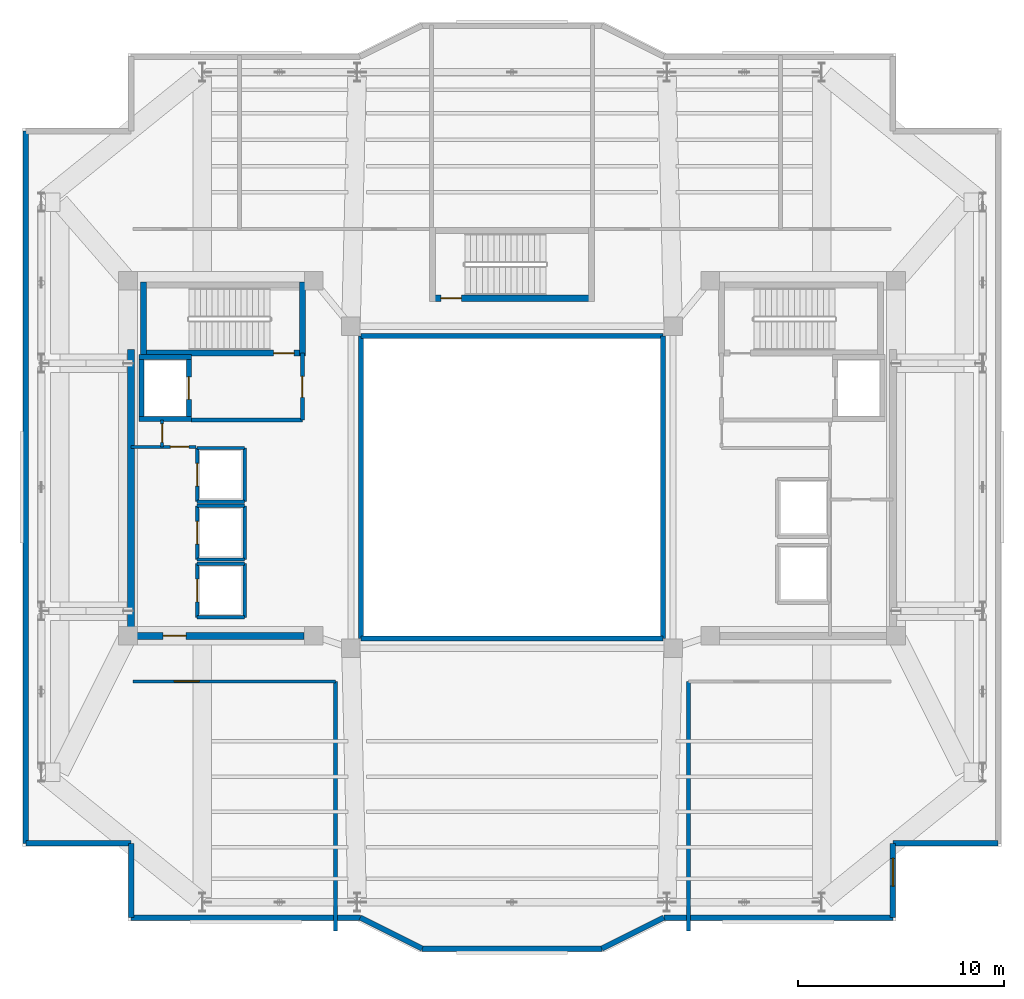
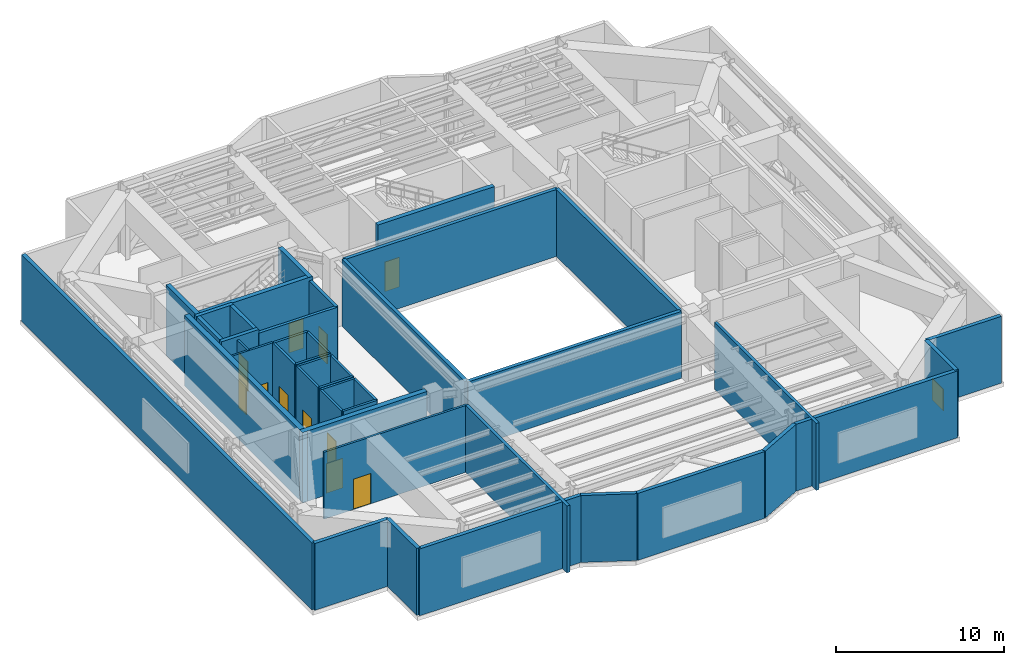
# One storey, part 8 of 13: 43 walls, 11 doors, 1 window, 12 openings.
"""IFC4 building model written with IfcOpenShell, lengths in metres."""

from ifc_helpers import new_model, si_unit, direction, frame, frame_2d, origin, place, context, subcontext, project, spatial, rectangle, extrude, material, layer, layer_set, type_object, element, fill, save


model = new_model("IFC4")

# Units and contexts
model_context = context("Model", 3, precision=1e-05, world=origin(), true_north=direction((0.0, 1.0)))
body_context = subcontext(model_context, "Body", "Model", "MODEL_VIEW")
ifc_project = project(units=[si_unit("LENGTHUNIT", "METRE"), si_unit("AREAUNIT", "SQUARE_METRE"), si_unit("VOLUMEUNIT", "CUBIC_METRE"), si_unit("PLANEANGLEUNIT", "RADIAN"), si_unit("MASSUNIT", "GRAM", prefix="KILO")], contexts=[model_context])

# Site, building, storey
site_placement = place(None, origin())
site = spatial("IfcSite", under=ifc_project, at=site_placement, CompositionType="ELEMENT")
building_placement = place(site_placement, origin())
building = spatial("IfcBuilding", under=site, at=building_placement, Name="Tarnavaz Court Tower", CompositionType="ELEMENT")
storey_placement = place(building_placement, frame((0.0, 0.0, 236.39990234375)))
storey = spatial("IfcBuildingStorey", under=building, at=storey_placement, Name="L64", CompositionType="ELEMENT", Elevation=236.39990234375)

# Wall
ifc_material_1 = material(Name="Concrete C50/60", Category="concrete")
ifc_layer_1 = layer(ifc_material_1, 0.25)
ifc_layer_set_1 = layer_set([ifc_layer_1], Name="Concrete C50/60")
wall_type_1 = type_object("IfcWallType", Name="WL-CORE-250-C50", PredefinedType="SHEAR", material=ifc_layer_set_1)
wall_1_placement = place(storey_placement, frame((-17.949951171875, 3.175048828125, 0.0), z_axis=(0.0, 0.0, 1.0), x_axis=(0.0, 1.0, 0.0)))
element("IfcWall", 1, at=wall_1_placement, inside=storey, type_object=wall_type_1, Name="L64 Lift FL-W1 Shaft Wall 017", PredefinedType="SHEAR", context=body_context, shape_type="SweptSolid", body=[
    extrude(rectangle(XDim=3.25, YDim=0.25, at=frame_2d((1.625, 0.0))), origin(), (0.0, 0.0, 1.0), 5.10009765625),
])

# Wall, opening, door
wall_2_placement = place(storey_placement, frame((-15.64990234375, 3.175048828125, 0.0), z_axis=(0.0, 0.0, 1.0), x_axis=(0.0, 1.0, 0.0)))
wall_2 = element("IfcWall", 2, at=wall_2_placement, inside=storey, type_object=wall_type_1, Name="L64 Lift FL-W1 Shaft Wall 018", PredefinedType="SHEAR", context=body_context, shape_type="SweptSolid", body=[
    extrude(rectangle(XDim=3.25, YDim=0.25, at=frame_2d((1.625, 0.0))), origin(), (0.0, 0.0, 1.0), 5.10009765625),
])
opening_1_placement = place(wall_2_placement, frame((1.074951171875, 0.0, 0.0)))
opening_1 = element("IfcOpeningElement", 3, at=opening_1_placement, cuts=wall_2, Name="Opening LD1", PredefinedType="OPENING", context=body_context, shape_type="SweptSolid", body=[
    extrude(rectangle(XDim=1.10009765625, YDim=2.14990234375, at=frame_2d((0.550048828125, 1.074951171875))), frame((0.0, 0.135009765625, 0.0), z_axis=(0.0, -1.0, 0.0), x_axis=(1.0, 0.0, 0.0)), (0.0, 0.0, 1.0), 0.27001953125),
])
ifc_material_2 = material(Name="Stainless Steel", Category="steel")
door_type_1 = type_object("IfcDoorType", Name="DR-LD-1100", OperationType="NOTDEFINED", PredefinedType="DOOR", material=ifc_material_2)
door_1_placement = place(opening_1_placement, origin())
door_1 = element("IfcDoor", 4, at=door_1_placement, inside=storey, type_object=door_type_1, Name="L64 Lift Landing Door LD-FL-W1", OperationType="SLIDING_TO_LEFT", OverallHeight=2.14990234375, OverallWidth=1.10009765625, PredefinedType="DOOR", context=body_context, shape_type="SweptSolid", body=[
    extrude(rectangle(XDim=1.10009765625, YDim=2.14990234375, at=frame_2d((0.550048828125, 1.074951171875))), frame((0.0, 0.02490234375, 0.0), z_axis=(0.0, -1.0, 0.0), x_axis=(1.0, 0.0, 0.0)), (0.0, 0.0, 1.0), 0.050048828125),
])
fill(opening_1, door_1)

# Walls
for number, where, z_axis, x_axis, name in (
    (5, (-18.074951171875, 3.300048828125, 0.0), (0.0, 0.0, 1.0), (1.0, 0.0, 0.0), "L64 Lift FL-W1 Shaft Wall 019"),
    (6, (-18.074951171875, 6.300048828125, 0.0), (0.0, 0.0, 1.0), (1.0, 0.0, 0.0), "L64 Lift FL-W1 Shaft Wall 020"),
):
    element("IfcWall", number, at=place(storey_placement, frame(where, z_axis=z_axis, x_axis=x_axis)), inside=storey, type_object=wall_type_1, Name=name, PredefinedType="SHEAR", context=body_context, shape_type="SweptSolid", body=[
        extrude(rectangle(XDim=2.550048828125, YDim=0.25, at=frame_2d((1.27490234375, 0.0))), origin(), (0.0, 0.0, 1.0), 5.10009765625),
    ])

# Wall, opening, door
ifc_layer_2 = layer(ifc_material_1, 0.300048828125)
ifc_layer_set_2 = layer_set([ifc_layer_2], Name="Concrete C50/60")
wall_type_2 = type_object("IfcWallType", Name="WL-CORE-300-C50", PredefinedType="SHEAR", material=ifc_layer_set_2)
wall_3_placement = place(storey_placement, frame((-18.0, 6.5, 0.0), z_axis=(0.0, 0.0, 1.0), x_axis=(1.0, 0.0, 0.0)))
wall_3 = element("IfcWall", 7, at=wall_3_placement, inside=storey, type_object=wall_type_2, Name="L64 West Stair Core Wall 002", PredefinedType="SHEAR", context=body_context, shape_type="SweptSolid", body=[
    extrude(rectangle(XDim=8.0, YDim=0.300048828125, at=frame_2d((4.0, 0.0))), origin(), (0.0, 0.0, 1.0), 5.10009765625),
])
opening_2_placement = place(wall_3_placement, frame((6.449951171875, 0.0, 0.0)))
opening_2 = element("IfcOpeningElement", 8, at=opening_2_placement, cuts=wall_3, Name="Opening D01", PredefinedType="OPENING", context=body_context, shape_type="SweptSolid", body=[
    extrude(rectangle(XDim=1.0, YDim=2.14990234375, at=frame_2d((0.5, 1.074951171875))), frame((0.0, 0.159912109375, 0.0), z_axis=(0.0, -1.0, 0.0), x_axis=(1.0, 0.0, 0.0)), (0.0, 0.0, 1.0), 0.320068359375),
])
ifc_material_3 = material(Name="Fire-Rated Hardwood Timber Core", Category="wood")
door_type_2 = type_object("IfcDoorType", Name="DR-FD90-1000", OperationType="NOTDEFINED", PredefinedType="DOOR", material=ifc_material_3)
door_2_placement = place(opening_2_placement, origin())
door_2 = element("IfcDoor", 9, at=door_2_placement, inside=storey, type_object=door_type_2, Name="L64 Stair ST-W1 Exit Door", OperationType="SINGLE_SWING_LEFT", OverallHeight=2.14990234375, OverallWidth=1.0, PredefinedType="DOOR", context=body_context, shape_type="SweptSolid", body=[
    extrude(rectangle(XDim=1.0, YDim=2.14990234375, at=frame_2d((0.5, 1.074951171875))), frame((0.0, 0.02490234375, 0.0), z_axis=(0.0, -1.0, 0.0), x_axis=(1.0, 0.0, 0.0)), (0.0, 0.0, 1.0), 0.050048828125),
])
fill(opening_2, door_2)

# Walls
for number, where, z_axis, x_axis, name in (
    (10, (-17.85009765625, 6.35009765625, 0.0), (0.0, 0.0, 1.0), (0.0, 1.0, 0.0), "L64 West Stair Core Wall 003"),
    (11, (-10.14990234375, 6.35009765625, 0.0), (0.0, 0.0, 1.0), (0.0, 1.0, 0.0), "L64 West Stair Core Wall 004"),
):
    element("IfcWall", number, at=place(storey_placement, frame(where, z_axis=z_axis, x_axis=x_axis)), inside=storey, type_object=wall_type_2, Name=name, PredefinedType="SHEAR", context=body_context, shape_type="SweptSolid", body=[
        extrude(rectangle(XDim=3.58984375, YDim=0.300048828125, at=frame_2d((1.794921875, 0.0))), origin(), (0.0, 0.0, 1.0), 5.10009765625),
    ])

# Wall, opening, door
wall_4_placement = place(storey_placement, frame((-4.0, 9.14990234375, 0.0), z_axis=(0.0, 0.0, 1.0), x_axis=(1.0, 0.0, 0.0)))
wall_4 = element("IfcWall", 12, at=wall_4_placement, inside=storey, type_object=wall_type_2, Name="L64 North Stair Core Wall 010", PredefinedType="SHEAR", context=body_context, shape_type="SweptSolid", body=[
    extrude(rectangle(XDim=8.0, YDim=0.300048828125, at=frame_2d((4.0, 0.0))), origin(), (0.0, 0.0, 1.0), 5.10009765625),
])
opening_3_placement = place(wall_4_placement, frame((0.550048828125, 0.0, 0.0)))
opening_3 = element("IfcOpeningElement", 13, at=opening_3_placement, cuts=wall_4, Name="Opening D01", PredefinedType="OPENING", context=body_context, shape_type="SweptSolid", body=[
    extrude(rectangle(XDim=1.0, YDim=2.14990234375, at=frame_2d((0.5, 1.074951171875))), frame((0.0, 0.159912109375, 0.0), z_axis=(0.0, -1.0, 0.0), x_axis=(1.0, 0.0, 0.0)), (0.0, 0.0, 1.0), 0.320068359375),
])
door_3_placement = place(opening_3_placement, origin())
door_3 = element("IfcDoor", 14, at=door_3_placement, inside=storey, type_object=door_type_2, Name="L64 Stair ST-N1 Exit Door", OperationType="SINGLE_SWING_LEFT", OverallHeight=2.14990234375, OverallWidth=1.0, PredefinedType="DOOR", context=body_context, shape_type="SweptSolid", body=[
    extrude(rectangle(XDim=1.0, YDim=2.14990234375, at=frame_2d((0.5, 1.074951171875))), frame((0.0, 0.02490234375, 0.0), z_axis=(0.0, -1.0, 0.0), x_axis=(1.0, 0.0, 0.0)), (0.0, 0.0, 1.0), 0.050048828125),
])
fill(opening_3, door_3)

# Wall
ifc_layer_3 = layer(ifc_material_1, 0.35009765625)
ifc_layer_set_3 = layer_set([ifc_layer_3], Name="Concrete C50/60")
wall_type_3 = type_object("IfcWallType", Name="WL-CORE-350-C50", PredefinedType="SHEAR", material=ifc_layer_set_3)
wall_5_placement = place(storey_placement, frame((-18.449951171875, -7.375, 0.0), z_axis=(0.0, 0.0, 1.0), x_axis=(0.0, 1.0, 0.0)))
element("IfcWall", 15, at=wall_5_placement, inside=storey, type_object=wall_type_3, Name="L64 West Core Shear Wall 045", PredefinedType="SHEAR", context=body_context, shape_type="SweptSolid", body=[
    extrude(rectangle(XDim=14.050048828125, YDim=0.35009765625, at=frame_2d((7.02490234375, 0.0))), origin(), (0.0, 0.0, 1.0), 5.10009765625),
])

# Wall, opening, door
wall_6_placement = place(storey_placement, frame((-18.625, -7.199951171875, 0.0), z_axis=(0.0, 0.0, 1.0), x_axis=(1.0, 0.0, 0.0)))
wall_6 = element("IfcWall", 16, at=wall_6_placement, inside=storey, type_object=wall_type_3, Name="L64 West Core South Shear Wall 046", PredefinedType="SHEAR", context=body_context, shape_type="SweptSolid", body=[
    extrude(rectangle(XDim=8.550048828125, YDim=0.35009765625, at=frame_2d((4.27490234375, 0.0))), origin(), (0.0, 0.0, 1.0), 5.10009765625),
])
opening_4_placement = place(wall_6_placement, frame((1.72509765625, 0.0, 0.0)))
opening_4 = element("IfcOpeningElement", 17, at=opening_4_placement, cuts=wall_6, Name="Opening D04", PredefinedType="OPENING", context=body_context, shape_type="SweptSolid", body=[
    extrude(rectangle(XDim=1.1201171875, YDim=2.14990234375, at=frame_2d((0.56005859375, 1.074951171875))), frame((0.0, 0.18505859375, 0.0), z_axis=(0.0, -1.0, 0.0), x_axis=(1.0, 0.0, 0.0)), (0.0, 0.0, 1.0), 0.3701171875),
])
door_type_3 = type_object("IfcDoorType", Name="DR-FD60-1100", OperationType="NOTDEFINED", PredefinedType="DOOR", material=ifc_material_3)
door_4_placement = place(opening_4_placement, origin())
door_4 = element("IfcDoor", 18, at=door_4_placement, inside=storey, type_object=door_type_3, Name="L64 West High-Rise Lift Lobby Door", OperationType="SINGLE_SWING_LEFT", OverallHeight=2.14990234375, OverallWidth=1.1201171875, PredefinedType="DOOR", context=body_context, shape_type="SweptSolid", body=[
    extrude(rectangle(XDim=1.1201171875, YDim=2.14990234375, at=frame_2d((0.56005859375, 1.074951171875))), frame((0.0, 0.02490234375, 0.0), z_axis=(0.0, -1.0, 0.0), x_axis=(1.0, 0.0, 0.0)), (0.0, 0.0, 1.0), 0.050048828125),
])
fill(opening_4, door_4)

# Walls
ifc_material_4 = material(Name="Precast Concrete C40/50", Category="concrete")
ifc_layer_4 = layer(ifc_material_4, 0.260009765625)
ifc_layer_set_4 = layer_set([ifc_layer_4], Name="Precast Concrete C40/50")
wall_type_4 = type_object("IfcWallType", Name="WL-EXT-260", PredefinedType="SOLIDWALL", material=ifc_layer_set_4)
wall_7_placement = place(storey_placement, frame((-18.449951171875, -17.25, 0.0), z_axis=(0.0, 0.0, 1.0), x_axis=(-1.0, 0.0, 0.0)))
element("IfcWall", 19, at=wall_7_placement, inside=storey, type_object=wall_type_4, Name="L64 Exterior Terracotta Facade Wall 01", PredefinedType="SOLIDWALL", context=body_context, shape_type="SweptSolid", body=[
    extrude(rectangle(XDim=5.10009765625, YDim=0.260009765625, at=frame_2d((2.550048828125, 0.0))), origin(), (0.0, 0.0, 1.0), 4.85009765625),
])
wall_8_placement = place(storey_placement, frame((-23.550048828125, -17.25, 0.0), z_axis=(0.0, 0.0, 1.0), x_axis=(0.0, 1.0, 0.0)))
element("IfcWall", 20, at=wall_8_placement, inside=storey, type_object=wall_type_4, Name="L64 Exterior Terracotta Facade Wall 02", PredefinedType="SOLIDWALL", context=body_context, shape_type="SweptSolid", body=[
    extrude(rectangle(XDim=34.5, YDim=0.260009765625, at=frame_2d((17.25, 0.0))), origin(), (0.0, 0.0, 1.0), 4.85009765625),
])
wall_9_placement = place(storey_placement, frame((23.550048828125, -17.25, 0.0), z_axis=(0.0, 0.0, 1.0), x_axis=(-1.0, 0.0, 0.0)))
element("IfcWall", 21, at=wall_9_placement, inside=storey, type_object=wall_type_4, Name="L64 Exterior Terracotta Facade Wall 13", PredefinedType="SOLIDWALL", context=body_context, shape_type="SweptSolid", body=[
    extrude(rectangle(XDim=5.10009765625, YDim=0.260009765625, at=frame_2d((2.550048828125, 0.0))), origin(), (0.0, 0.0, 1.0), 4.85009765625),
])

# Wall, opening, window
wall_10_placement = place(storey_placement, frame((18.449951171875, -17.25, 0.0), z_axis=(0.0, 0.0, 1.0), x_axis=(0.0, -1.0, 0.0)))
wall_10 = element("IfcWall", 22, at=wall_10_placement, inside=storey, type_object=wall_type_4, Name="L64 Exterior Terracotta Facade Wall 14", PredefinedType="SOLIDWALL", context=body_context, shape_type="SweptSolid", body=[
    extrude(rectangle(XDim=3.60009765625, YDim=0.260009765625, at=frame_2d((1.800048828125, 0.0))), origin(), (0.0, 0.0, 1.0), 4.85009765625),
])
opening_5_placement = place(wall_10_placement, frame((0.72509765625, 0.0, 0.949951171875)))
opening_5 = element("IfcOpeningElement", 23, at=opening_5_placement, cuts=wall_10, Name="Opening W04", PredefinedType="OPENING", context=body_context, shape_type="SweptSolid", body=[
    extrude(rectangle(XDim=1.35009765625, YDim=1.550048828125, at=frame_2d((0.675048828125, 0.77490234375))), frame((0.0, 0.139892578125, 0.0), z_axis=(0.0, -1.0, 0.0), x_axis=(1.0, 0.0, 0.0)), (0.0, 0.0, 1.0), 0.280029296875),
])
ifc_material_5 = material(Name="Double-Glazed Solar Low-E Glass", Category="glass")
window_type = type_object("IfcWindowType", Name="WN-APT-1350", PartitioningType="SINGLE_PANEL", PredefinedType="WINDOW", material=ifc_material_5)
window_placement = place(opening_5_placement, origin())
window = element("IfcWindow", 24, at=window_placement, inside=storey, type_object=window_type, Name="L64 South Protected Refuge Holding Area Window", OverallHeight=1.550048828125, OverallWidth=1.35009765625, PartitioningType="SINGLE_PANEL", PredefinedType="WINDOW", context=body_context, shape_type="SweptSolid", body=[
    extrude(rectangle(XDim=1.35009765625, YDim=1.550048828125, at=frame_2d((0.675048828125, 0.77490234375))), frame((0.0, 0.030029296875, 0.0), z_axis=(0.0, -1.0, 0.0), x_axis=(1.0, 0.0, 0.0)), (0.0, 0.0, 1.0), 0.06005859375),
])
fill(opening_5, window)

# Walls
wall_11_placement = place(storey_placement, frame((18.449951171875, -20.85009765625, 0.0), z_axis=(0.0, 0.0, 1.0), x_axis=(-1.0, 0.0, 0.0)))
element("IfcWall", 25, at=wall_11_placement, inside=storey, type_object=wall_type_4, Name="L64 Exterior Terracotta Facade Wall 15", PredefinedType="SOLIDWALL", context=body_context, shape_type="SweptSolid", body=[
    extrude(rectangle(XDim=11.099853515625, YDim=0.260009765625, at=frame_2d((5.5498046875, 0.0))), origin(), (0.0, 0.0, 1.0), 4.85009765625),
])
wall_12_placement = place(storey_placement, frame((7.35009765625, -20.85009765625, 0.0), z_axis=(0.0, 0.0, 1.0), x_axis=(-0.894427191, -0.4472135955, 0.0)))
element("IfcWall", 26, at=wall_12_placement, inside=storey, type_object=wall_type_4, Name="L64 Exterior Terracotta Facade Wall 16", PredefinedType="SOLIDWALL", context=body_context, shape_type="SweptSolid", body=[
    extrude(rectangle(XDim=3.35400390625, YDim=0.260009765625, at=frame_2d((1.677001953125, 0.0))), origin(), (0.0, 0.0, 1.0), 4.85009765625),
])
wall_13_placement = place(storey_placement, frame((4.35009765625, -22.35009765625, 0.0), z_axis=(0.0, 0.0, 1.0), x_axis=(-1.0, 0.0, 0.0)))
element("IfcWall", 27, at=wall_13_placement, inside=storey, type_object=wall_type_4, Name="L64 Exterior Terracotta Facade Wall 17", PredefinedType="SOLIDWALL", context=body_context, shape_type="SweptSolid", body=[
    extrude(rectangle(XDim=8.7001953125, YDim=0.260009765625, at=frame_2d((4.35009765625, 0.0))), origin(), (0.0, 0.0, 1.0), 4.85009765625),
])
wall_14_placement = place(storey_placement, frame((-4.35009765625, -22.35009765625, 0.0), z_axis=(0.0, 0.0, 1.0), x_axis=(-0.894427191, 0.4472135955, 0.0)))
element("IfcWall", 28, at=wall_14_placement, inside=storey, type_object=wall_type_4, Name="L64 Exterior Terracotta Facade Wall 18", PredefinedType="SOLIDWALL", context=body_context, shape_type="SweptSolid", body=[
    extrude(rectangle(XDim=3.35400390625, YDim=0.260009765625, at=frame_2d((1.677001953125, 0.0))), origin(), (0.0, 0.0, 1.0), 4.85009765625),
])
wall_15_placement = place(storey_placement, frame((-7.35009765625, -20.85009765625, 0.0), z_axis=(0.0, 0.0, 1.0), x_axis=(-1.0, 0.0, 0.0)))
element("IfcWall", 29, at=wall_15_placement, inside=storey, type_object=wall_type_4, Name="L64 Exterior Terracotta Facade Wall 19", PredefinedType="SOLIDWALL", context=body_context, shape_type="SweptSolid", body=[
    extrude(rectangle(XDim=11.099853515625, YDim=0.260009765625, at=frame_2d((5.5498046875, 0.0))), origin(), (0.0, 0.0, 1.0), 4.85009765625),
])
wall_16_placement = place(storey_placement, frame((-18.449951171875, -20.85009765625, 0.0), z_axis=(0.0, 0.0, 1.0), x_axis=(0.0, 1.0, 0.0)))
element("IfcWall", 30, at=wall_16_placement, inside=storey, type_object=wall_type_4, Name="L64 Exterior Terracotta Facade Wall 20", PredefinedType="SOLIDWALL", context=body_context, shape_type="SweptSolid", body=[
    extrude(rectangle(XDim=3.60009765625, YDim=0.260009765625, at=frame_2d((1.800048828125, 0.0))), origin(), (0.0, 0.0, 1.0), 4.85009765625),
])

# Wall, opening, door
ifc_material_6 = material(Name="Gypsum Fire-Board on Acoustic Metal Stud", Category="masonry")
ifc_layer_5 = layer(ifc_material_6, 0.14990234375)
ifc_layer_set_5 = layer_set([ifc_layer_5], Name="Gypsum Fire-Board on Acoustic Metal Stud")
wall_type_5 = type_object("IfcWallType", Name="WL-FIRE-150", PredefinedType="PARTITIONING", material=ifc_layer_set_5)
wall_17_placement = place(storey_placement, frame((-18.35009765625, -9.39990234375, 0.0), z_axis=(0.0, 0.0, 1.0), x_axis=(1.0, 0.0, 0.0)))
wall_17 = element("IfcWall", 31, at=wall_17_placement, inside=storey, type_object=wall_type_5, Name="L64 SW Lobby Wall 057", PredefinedType="PARTITIONING", context=body_context, shape_type="SweptSolid", body=[
    extrude(rectangle(XDim=9.800048828125, YDim=0.14990234375, at=frame_2d((4.89990234375, 0.0))), origin(), (0.0, 0.0, 1.0), 4.85009765625),
])
opening_6_placement = place(wall_17_placement, frame((2.0, 0.0, 0.0)))
opening_6 = element("IfcOpeningElement", 32, at=opening_6_placement, cuts=wall_17, Name="Opening D03", PredefinedType="OPENING", context=body_context, shape_type="SweptSolid", body=[
    extrude(rectangle(XDim=1.199951171875, YDim=2.199951171875, at=frame_2d((0.60009765625, 1.10009765625))), frame((0.0, 0.0849609375, 0.0), z_axis=(0.0, -1.0, 0.0), x_axis=(1.0, 0.0, 0.0)), (0.0, 0.0, 1.0), 0.169921875),
])
door_type_4 = type_object("IfcDoorType", Name="DR-FD90-1200", OperationType="NOTDEFINED", PredefinedType="DOOR", material=ifc_material_3)
door_5_placement = place(opening_6_placement, origin())
door_5 = element("IfcDoor", 33, at=door_5_placement, inside=storey, type_object=door_type_4, Name="L64 Electrical Switchgear Plant Door", OperationType="SINGLE_SWING_LEFT", OverallHeight=2.199951171875, OverallWidth=1.199951171875, PredefinedType="DOOR", context=body_context, shape_type="SweptSolid", body=[
    extrude(rectangle(XDim=1.199951171875, YDim=2.199951171875, at=frame_2d((0.60009765625, 1.10009765625))), frame((0.0, 0.02490234375, 0.0), z_axis=(0.0, -1.0, 0.0), x_axis=(1.0, 0.0, 0.0)), (0.0, 0.0, 1.0), 0.050048828125),
])
fill(opening_6, door_5)

# Wall
ifc_material_7 = material(Name="Autoclaved Aerated Concrete Blockwork", Category="masonry")
ifc_layer_6 = layer(ifc_material_7, 0.199951171875)
ifc_layer_set_6 = layer_set([ifc_layer_6], Name="Autoclaved Aerated Concrete Blockwork")
wall_type_6 = type_object("IfcWallType", Name="WL-FIRE-200", PredefinedType="SOLIDWALL", material=ifc_layer_set_6)
wall_18_placement = place(storey_placement, frame((-15.550048828125, 3.25, 0.0), z_axis=(0.0, 0.0, 1.0), x_axis=(1.0, 0.0, 0.0)))
element("IfcWall", 34, at=wall_18_placement, inside=storey, type_object=wall_type_6, Name="L64 West Firefighting Lobby Wall 013", PredefinedType="SOLIDWALL", context=body_context, shape_type="SweptSolid", body=[
    extrude(rectangle(XDim=5.400146484375, YDim=0.199951171875, at=frame_2d((2.7001953125, 0.0))), origin(), (0.0, 0.0, 1.0), 4.85009765625),
])

# Wall, opening, door
wall_19_placement = place(storey_placement, frame((-10.14990234375, 3.25, 0.0), z_axis=(0.0, 0.0, 1.0), x_axis=(0.0, 1.0, 0.0)))
wall_19 = element("IfcWall", 35, at=wall_19_placement, inside=storey, type_object=wall_type_6, Name="L64 West Firefighting Lobby Wall 014", PredefinedType="SOLIDWALL", context=body_context, shape_type="SweptSolid", body=[
    extrude(rectangle(XDim=3.25, YDim=0.199951171875, at=frame_2d((1.625, 0.0))), origin(), (0.0, 0.0, 1.0), 4.85009765625),
])
opening_7_placement = place(wall_19_placement, frame((1.10009765625, 0.0, 0.0)))
opening_7 = element("IfcOpeningElement", 36, at=opening_7_placement, cuts=wall_19, Name="Opening D05", PredefinedType="OPENING", context=body_context, shape_type="SweptSolid", body=[
    extrude(rectangle(XDim=1.02001953125, YDim=2.14990234375, at=frame_2d((0.510009765625, 1.074951171875))), frame((0.0, 0.10986328125, 0.0), z_axis=(0.0, -1.0, 0.0), x_axis=(1.0, 0.0, 0.0)), (0.0, 0.0, 1.0), 0.219970703125),
])
door_type_5 = type_object("IfcDoorType", Name="DR-FD60-1000", OperationType="NOTDEFINED", PredefinedType="DOOR", material=ifc_material_3)
door_6_placement = place(opening_7_placement, origin())
door_6 = element("IfcDoor", 37, at=door_6_placement, inside=storey, type_object=door_type_5, Name="L64 West Firefighting Lobby Door", OperationType="SINGLE_SWING_RIGHT", OverallHeight=2.14990234375, OverallWidth=1.02001953125, PredefinedType="DOOR", context=body_context, shape_type="SweptSolid", body=[
    extrude(rectangle(XDim=1.02001953125, YDim=2.14990234375, at=frame_2d((0.510009765625, 1.074951171875))), frame((0.0, 0.02490234375, 0.0), z_axis=(0.0, -1.0, 0.0), x_axis=(1.0, 0.0, 0.0)), (0.0, 0.0, 1.0), 0.050048828125),
])
fill(opening_7, door_6)

# Walls
for number, where, z_axis, x_axis, name in (
    (38, (-8.550048828125, -21.50390625, 0.0), (0.0, 0.0, 1.0), (0.0, 1.0, 0.0), "L64 Interior Partition 063"),
    (39, (8.550048828125, -21.50390625, 0.0), (0.0, 0.0, 1.0), (0.0, 1.0, 0.0), "L64 Interior Partition 064"),
):
    element("IfcWall", number, at=place(storey_placement, frame(where, z_axis=z_axis, x_axis=x_axis)), inside=storey, type_object=wall_type_6, Name=name, PredefinedType="SOLIDWALL", context=body_context, shape_type="SweptSolid", body=[
        extrude(rectangle(XDim=12.10400390625, YDim=0.199951171875, at=frame_2d((6.052001953125, 0.0))), origin(), (0.0, 0.0, 1.0), 4.85009765625),
    ])

# Wall, opening, door
ifc_material_8 = material(Name="Gypsum Plasterboard Acoustic Partition", Category="masonry")
ifc_layer_7 = layer(ifc_material_8, 0.139892578125)
ifc_layer_set_7 = layer_set([ifc_layer_7], Name="Gypsum Plasterboard Acoustic Partition")
wall_type_7 = type_object("IfcWallType", Name="WL-PART-150", PredefinedType="PARTITIONING", material=ifc_layer_set_7)
wall_20_placement = place(storey_placement, frame((-18.449951171875, 1.949951171875, 0.0), z_axis=(0.0, 0.0, 1.0), x_axis=(1.0, 0.0, 0.0)))
wall_20 = element("IfcWall", 40, at=wall_20_placement, inside=storey, type_object=wall_type_7, Name="L64 Interior Partition 049", PredefinedType="PARTITIONING", context=body_context, shape_type="SweptSolid", body=[
    extrude(rectangle(XDim=3.14990234375, YDim=0.139892578125, at=frame_2d((1.574951171875, 0.0))), origin(), (0.0, 0.0, 1.0), 4.85009765625),
])
opening_8_placement = place(wall_20_placement, frame((1.89990234375, 0.0, 0.0)))
opening_8 = element("IfcOpeningElement", 41, at=opening_8_placement, cuts=wall_20, Name="Opening D09", PredefinedType="OPENING", context=body_context, shape_type="SweptSolid", body=[
    extrude(rectangle(XDim=0.89990234375, YDim=2.080078125, at=frame_2d((0.449951171875, 1.0400390625))), frame((0.0, 0.079833984375, 0.0), z_axis=(0.0, -1.0, 0.0), x_axis=(1.0, 0.0, 0.0)), (0.0, 0.0, 1.0), 0.159912109375),
])
door_type_6 = type_object("IfcDoorType", Name="DR-FD30-900", OperationType="NOTDEFINED", PredefinedType="DOOR", material=ifc_material_3)
door_7_placement = place(opening_8_placement, origin())
door_7 = element("IfcDoor", 42, at=door_7_placement, inside=storey, type_object=door_type_6, Name="L64 West Sky Store Door", OperationType="SINGLE_SWING_RIGHT", OverallHeight=2.080078125, OverallWidth=0.89990234375, PredefinedType="DOOR", context=body_context, shape_type="SweptSolid", body=[
    extrude(rectangle(XDim=0.89990234375, YDim=2.080078125, at=frame_2d((0.449951171875, 1.0400390625))), frame((0.0, 0.02490234375, 0.0), z_axis=(0.0, -1.0, 0.0), x_axis=(1.0, 0.0, 0.0)), (0.0, 0.0, 1.0), 0.050048828125),
])
fill(opening_8, door_7)

wall_21_placement = place(storey_placement, frame((-16.949951171875, 1.949951171875, 0.0), z_axis=(0.0, 0.0, 1.0), x_axis=(0.0, 1.0, 0.0)))
wall_21 = element("IfcWall", 43, at=wall_21_placement, inside=storey, type_object=wall_type_7, Name="L64 Interior Partition 050", PredefinedType="PARTITIONING", context=body_context, shape_type="SweptSolid", body=[
    extrude(rectangle(XDim=1.300048828125, YDim=0.139892578125, at=frame_2d((0.64990234375, 0.0))), origin(), (0.0, 0.0, 1.0), 4.85009765625),
])
opening_9_placement = place(wall_21_placement, frame((0.219970703125, 0.0, 0.0)))
opening_9 = element("IfcOpeningElement", 44, at=opening_9_placement, cuts=wall_21, Name="Opening D09", PredefinedType="OPENING", context=body_context, shape_type="SweptSolid", body=[
    extrude(rectangle(XDim=0.89990234375, YDim=2.080078125, at=frame_2d((0.449951171875, 1.0400390625))), frame((0.0, 0.079833984375, 0.0), z_axis=(0.0, -1.0, 0.0), x_axis=(1.0, 0.0, 0.0)), (0.0, 0.0, 1.0), 0.159912109375),
])
door_8_placement = place(opening_9_placement, origin())
door_8 = element("IfcDoor", 45, at=door_8_placement, inside=storey, type_object=door_type_6, Name="L64 West Sky BMS Room Door", OperationType="SINGLE_SWING_LEFT", OverallHeight=2.080078125, OverallWidth=0.89990234375, PredefinedType="DOOR", context=body_context, shape_type="SweptSolid", body=[
    extrude(rectangle(XDim=0.89990234375, YDim=2.080078125, at=frame_2d((0.449951171875, 1.0400390625))), frame((0.0, 0.02490234375, 0.0), z_axis=(0.0, -1.0, 0.0), x_axis=(1.0, 0.0, 0.0)), (0.0, 0.0, 1.0), 0.050048828125),
])
fill(opening_9, door_8)

ifc_layer_8 = layer(ifc_material_7, 0.159912109375)
ifc_layer_set_8 = layer_set([ifc_layer_8], Name="Autoclaved Aerated Concrete Blockwork")
wall_type_8 = type_object("IfcWallType", Name="WL-SHAFT-150", PredefinedType="SOLIDWALL", material=ifc_layer_set_8)
wall_22_placement = place(storey_placement, frame((-15.25, -6.300048828125, 0.0), z_axis=(0.0, 0.0, 1.0), x_axis=(0.0, 1.0, 0.0)))
wall_22 = element("IfcWall", 46, at=wall_22_placement, inside=storey, type_object=wall_type_8, Name="L64 Lift PL-H1 Shaft Wall 021", PredefinedType="SOLIDWALL", context=body_context, shape_type="SweptSolid", body=[
    extrude(rectangle(XDim=2.60009765625, YDim=0.159912109375, at=frame_2d((1.300048828125, 0.0))), origin(), (0.0, 0.0, 1.0), 4.85009765625),
])
opening_10_placement = place(wall_22_placement, frame((0.75, 0.0, 0.0)))
opening_10 = element("IfcOpeningElement", 47, at=opening_10_placement, cuts=wall_22, Name="Opening LD1", PredefinedType="OPENING", context=body_context, shape_type="SweptSolid", body=[
    extrude(rectangle(XDim=1.10009765625, YDim=2.14990234375, at=frame_2d((0.550048828125, 1.074951171875))), frame((0.0, 0.08984375, 0.0), z_axis=(0.0, -1.0, 0.0), x_axis=(1.0, 0.0, 0.0)), (0.0, 0.0, 1.0), 0.179931640625),
])
door_9_placement = place(opening_10_placement, origin())
door_9 = element("IfcDoor", 48, at=door_9_placement, inside=storey, type_object=door_type_1, Name="L64 Lift Landing Door LD-PL-H1", OperationType="SLIDING_TO_LEFT", OverallHeight=2.14990234375, OverallWidth=1.10009765625, PredefinedType="DOOR", context=body_context, shape_type="SweptSolid", body=[
    extrude(rectangle(XDim=1.10009765625, YDim=2.14990234375, at=frame_2d((0.550048828125, 1.074951171875))), frame((0.0, 0.02490234375, 0.0), z_axis=(0.0, -1.0, 0.0), x_axis=(1.0, 0.0, 0.0)), (0.0, 0.0, 1.0), 0.050048828125),
])
fill(opening_10, door_9)

# Walls
wall_23_placement = place(storey_placement, frame((-12.949951171875, -6.300048828125, 0.0), z_axis=(0.0, 0.0, 1.0), x_axis=(0.0, 1.0, 0.0)))
element("IfcWall", 49, at=wall_23_placement, inside=storey, type_object=wall_type_8, Name="L64 Lift PL-H1 Shaft Wall 022", PredefinedType="SOLIDWALL", context=body_context, shape_type="SweptSolid", body=[
    extrude(rectangle(XDim=2.60009765625, YDim=0.159912109375, at=frame_2d((1.300048828125, 0.0))), origin(), (0.0, 0.0, 1.0), 4.85009765625),
])
for number, where, z_axis, x_axis, name in (
    (50, (-15.25, -6.300048828125, 0.0), (0.0, 0.0, 1.0), (1.0, 0.0, 0.0), "L64 Lift PL-H1 Shaft Wall 023"),
    (51, (-15.25, -3.699951171875, 0.0), (0.0, 0.0, 1.0), (1.0, 0.0, 0.0), "L64 Lift PL-H1 Shaft Wall 024"),
):
    element("IfcWall", number, at=place(storey_placement, frame(where, z_axis=z_axis, x_axis=x_axis)), inside=storey, type_object=wall_type_8, Name=name, PredefinedType="SOLIDWALL", context=body_context, shape_type="SweptSolid", body=[
        extrude(rectangle(XDim=2.300048828125, YDim=0.159912109375, at=frame_2d((1.14990234375, 0.0))), origin(), (0.0, 0.0, 1.0), 4.85009765625),
    ])

# Wall, opening, door
wall_24_placement = place(storey_placement, frame((-15.25, -3.5, 0.0), z_axis=(0.0, 0.0, 1.0), x_axis=(0.0, 1.0, 0.0)))
wall_24 = element("IfcWall", 52, at=wall_24_placement, inside=storey, type_object=wall_type_8, Name="L64 Lift PL-H2 Shaft Wall 025", PredefinedType="SOLIDWALL", context=body_context, shape_type="SweptSolid", body=[
    extrude(rectangle(XDim=2.60009765625, YDim=0.159912109375, at=frame_2d((1.300048828125, 0.0))), origin(), (0.0, 0.0, 1.0), 4.85009765625),
])
opening_11_placement = place(wall_24_placement, frame((0.75, 0.0, 0.0)))
opening_11 = element("IfcOpeningElement", 53, at=opening_11_placement, cuts=wall_24, Name="Opening LD1", PredefinedType="OPENING", context=body_context, shape_type="SweptSolid", body=[
    extrude(rectangle(XDim=1.10009765625, YDim=2.14990234375, at=frame_2d((0.550048828125, 1.074951171875))), frame((0.0, 0.08984375, 0.0), z_axis=(0.0, -1.0, 0.0), x_axis=(1.0, 0.0, 0.0)), (0.0, 0.0, 1.0), 0.179931640625),
])
door_10_placement = place(opening_11_placement, origin())
door_10 = element("IfcDoor", 54, at=door_10_placement, inside=storey, type_object=door_type_1, Name="L64 Lift Landing Door LD-PL-H2", OperationType="SLIDING_TO_LEFT", OverallHeight=2.14990234375, OverallWidth=1.10009765625, PredefinedType="DOOR", context=body_context, shape_type="SweptSolid", body=[
    extrude(rectangle(XDim=1.10009765625, YDim=2.14990234375, at=frame_2d((0.550048828125, 1.074951171875))), frame((0.0, 0.02490234375, 0.0), z_axis=(0.0, -1.0, 0.0), x_axis=(1.0, 0.0, 0.0)), (0.0, 0.0, 1.0), 0.050048828125),
])
fill(opening_11, door_10)

# Walls
wall_25_placement = place(storey_placement, frame((-12.949951171875, -3.5, 0.0), z_axis=(0.0, 0.0, 1.0), x_axis=(0.0, 1.0, 0.0)))
element("IfcWall", 55, at=wall_25_placement, inside=storey, type_object=wall_type_8, Name="L64 Lift PL-H2 Shaft Wall 026", PredefinedType="SOLIDWALL", context=body_context, shape_type="SweptSolid", body=[
    extrude(rectangle(XDim=2.60009765625, YDim=0.159912109375, at=frame_2d((1.300048828125, 0.0))), origin(), (0.0, 0.0, 1.0), 4.85009765625),
])
for number, where, z_axis, x_axis, name in (
    (56, (-15.25, -3.5, 0.0), (0.0, 0.0, 1.0), (1.0, 0.0, 0.0), "L64 Lift PL-H2 Shaft Wall 027"),
    (57, (-15.25, -0.89990234375, 0.0), (0.0, 0.0, 1.0), (1.0, 0.0, 0.0), "L64 Lift PL-H2 Shaft Wall 028"),
):
    element("IfcWall", number, at=place(storey_placement, frame(where, z_axis=z_axis, x_axis=x_axis)), inside=storey, type_object=wall_type_8, Name=name, PredefinedType="SOLIDWALL", context=body_context, shape_type="SweptSolid", body=[
        extrude(rectangle(XDim=2.300048828125, YDim=0.159912109375, at=frame_2d((1.14990234375, 0.0))), origin(), (0.0, 0.0, 1.0), 4.85009765625),
    ])

# Wall, opening, door
wall_26_placement = place(storey_placement, frame((-15.25, -0.699951171875, 0.0), z_axis=(0.0, 0.0, 1.0), x_axis=(0.0, 1.0, 0.0)))
wall_26 = element("IfcWall", 58, at=wall_26_placement, inside=storey, type_object=wall_type_8, Name="L64 Lift PL-H3 Shaft Wall 029", PredefinedType="SOLIDWALL", context=body_context, shape_type="SweptSolid", body=[
    extrude(rectangle(XDim=2.599853515625, YDim=0.159912109375, at=frame_2d((1.2998046875, 0.0))), origin(), (0.0, 0.0, 1.0), 4.85009765625),
])
opening_12_placement = place(wall_26_placement, frame((0.75, 0.0, 0.0)))
opening_12 = element("IfcOpeningElement", 59, at=opening_12_placement, cuts=wall_26, Name="Opening LD1", PredefinedType="OPENING", context=body_context, shape_type="SweptSolid", body=[
    extrude(rectangle(XDim=1.10009765625, YDim=2.14990234375, at=frame_2d((0.550048828125, 1.074951171875))), frame((0.0, 0.08984375, 0.0), z_axis=(0.0, -1.0, 0.0), x_axis=(1.0, 0.0, 0.0)), (0.0, 0.0, 1.0), 0.179931640625),
])
door_11_placement = place(opening_12_placement, origin())
door_11 = element("IfcDoor", 60, at=door_11_placement, inside=storey, type_object=door_type_1, Name="L64 Lift Landing Door LD-PL-H3", OperationType="SLIDING_TO_LEFT", OverallHeight=2.14990234375, OverallWidth=1.10009765625, PredefinedType="DOOR", context=body_context, shape_type="SweptSolid", body=[
    extrude(rectangle(XDim=1.10009765625, YDim=2.14990234375, at=frame_2d((0.550048828125, 1.074951171875))), frame((0.0, 0.02490234375, 0.0), z_axis=(0.0, -1.0, 0.0), x_axis=(1.0, 0.0, 0.0)), (0.0, 0.0, 1.0), 0.050048828125),
])
fill(opening_12, door_11)

# Walls
wall_27_placement = place(storey_placement, frame((-12.949951171875, -0.699951171875, 0.0), z_axis=(0.0, 0.0, 1.0), x_axis=(0.0, 1.0, 0.0)))
element("IfcWall", 61, at=wall_27_placement, inside=storey, type_object=wall_type_8, Name="L64 Lift PL-H3 Shaft Wall 030", PredefinedType="SOLIDWALL", context=body_context, shape_type="SweptSolid", body=[
    extrude(rectangle(XDim=2.599853515625, YDim=0.159912109375, at=frame_2d((1.2998046875, 0.0))), origin(), (0.0, 0.0, 1.0), 4.85009765625),
])
for number, where, z_axis, x_axis, name in (
    (62, (-15.25, -0.699951171875, 0.0), (0.0, 0.0, 1.0), (1.0, 0.0, 0.0), "L64 Lift PL-H3 Shaft Wall 031"),
    (63, (-15.25, 1.89990234375, 0.0), (0.0, 0.0, 1.0), (1.0, 0.0, 0.0), "L64 Lift PL-H3 Shaft Wall 032"),
):
    element("IfcWall", number, at=place(storey_placement, frame(where, z_axis=z_axis, x_axis=x_axis)), inside=storey, type_object=wall_type_8, Name=name, PredefinedType="SOLIDWALL", context=body_context, shape_type="SweptSolid", body=[
        extrude(rectangle(XDim=2.300048828125, YDim=0.159912109375, at=frame_2d((1.14990234375, 0.0))), origin(), (0.0, 0.0, 1.0), 4.85009765625),
    ])
ifc_layer_9 = layer(ifc_material_4, 0.239990234375)
ifc_layer_set_9 = layer_set([ifc_layer_9], Name="Precast Concrete C40/50")
wall_type_9 = type_object("IfcWallType", Name="WL-WELL-240", PredefinedType="SOLIDWALL", material=ifc_layer_set_9)
for number, where, z_axis, x_axis, name in (
    (64, (-7.320068359375, -7.320068359375, 0.0), (0.0, 0.0, 1.0), (1.0, 0.0, 0.0), "L64 Badgir Light-Well Exterior Wall S"),
    (65, (7.320068359375, -7.320068359375, 0.0), (0.0, 0.0, 1.0), (0.0, 1.0, 0.0), "L64 Badgir Light-Well Exterior Wall E"),
    (66, (7.320068359375, 7.320068359375, 0.0), (0.0, 0.0, 1.0), (-1.0, 0.0, 0.0), "L64 Badgir Light-Well Exterior Wall N"),
    (67, (-7.320068359375, 7.320068359375, 0.0), (0.0, 0.0, 1.0), (0.0, -1.0, 0.0), "L64 Badgir Light-Well Exterior Wall W"),
):
    element("IfcWall", number, at=place(storey_placement, frame(where, z_axis=z_axis, x_axis=x_axis)), inside=storey, type_object=wall_type_9, Name=name, PredefinedType="SOLIDWALL", context=body_context, shape_type="SweptSolid", body=[
        extrude(rectangle(XDim=14.64013671875, YDim=0.239990234375, at=frame_2d((7.320068359375, 0.0))), origin(), (0.0, 0.0, 1.0), 4.85009765625),
    ])

save(model, "model.ifc")
